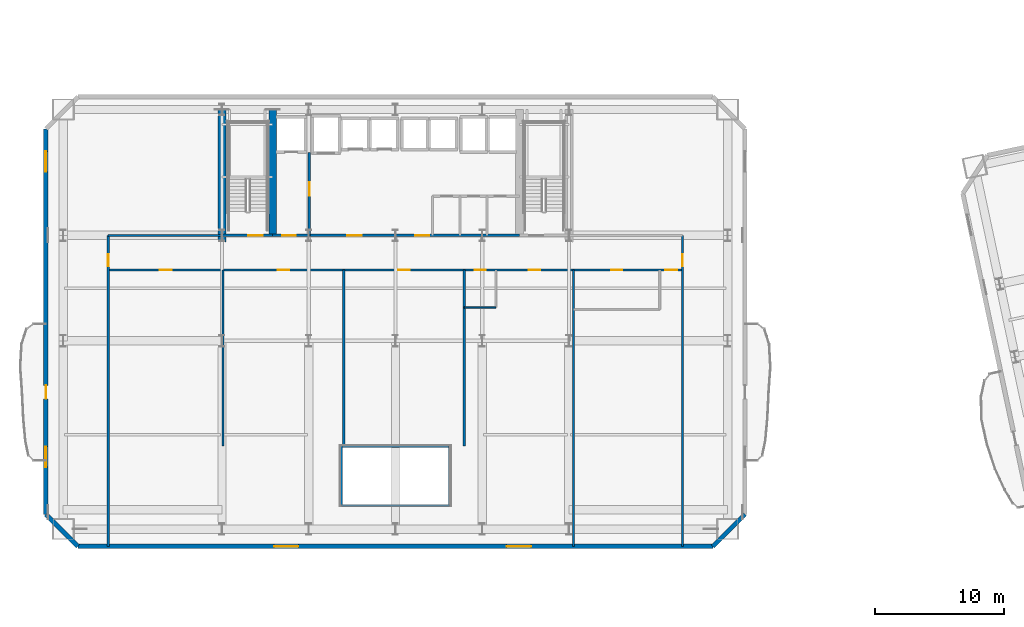
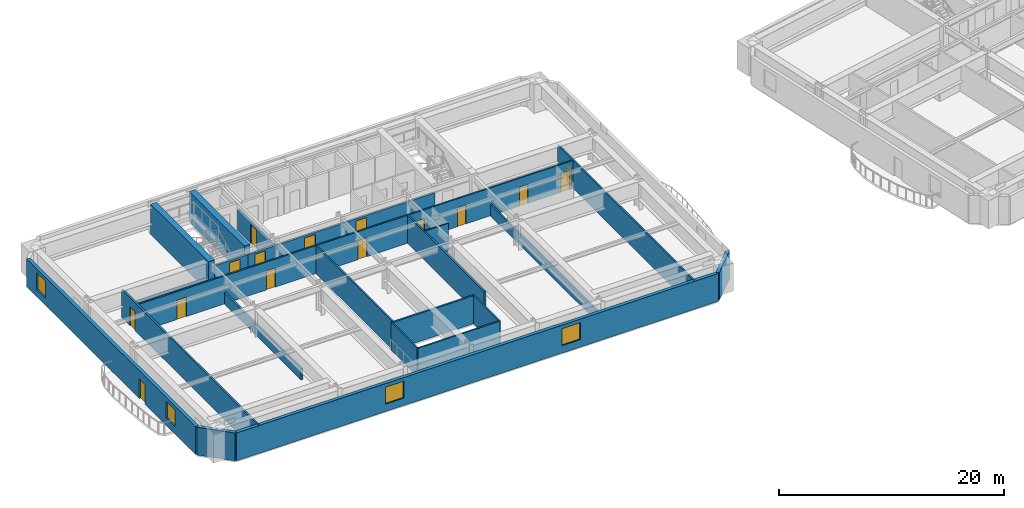
# One storey, part 7 of 18: 23 walls, 15 doors, 4 windows, 19 openings.
"""IFC4 building model written with IfcOpenShell, lengths in metres."""

from ifc_helpers import new_model, si_unit, direction, frame, frame_2d, origin, place, context, subcontext, project, spatial, rectangle, extrude, material, layer, layer_set, type_object, element, fill, save


model = new_model("IFC4")

# Units and contexts
model_context = context("Model", 3, precision=1e-05, world=origin(), true_north=direction((0.0, 1.0)))
body_context = subcontext(model_context, "Body", "Model", "MODEL_VIEW")
ifc_project = project(units=[si_unit("LENGTHUNIT", "METRE"), si_unit("AREAUNIT", "SQUARE_METRE"), si_unit("VOLUMEUNIT", "CUBIC_METRE"), si_unit("PLANEANGLEUNIT", "RADIAN"), si_unit("MASSUNIT", "GRAM", prefix="KILO")], contexts=[model_context])

# Site, building, storey
site_placement = place(None, origin())
site = spatial("IfcSite", under=ifc_project, at=site_placement, CompositionType="ELEMENT")
building_placement = place(site_placement, origin())
building = spatial("IfcBuilding", under=site, at=building_placement, Name="Haevon Station Towers", CompositionType="ELEMENT")
storey_placement = place(building_placement, frame((0.0, 0.0, 47.10009765625)))
storey = spatial("IfcBuildingStorey", under=building, at=storey_placement, Name="L11", CompositionType="ELEMENT", Elevation=47.10009765625)

# Wall, opening, door
ifc_material_1 = material(Name="Gypsum board on steel stud", Category="steel")
ifc_layer_1 = layer(ifc_material_1, 0.179931640625)
ifc_layer_set_1 = layer_set([ifc_layer_1], Name="Gypsum board on steel stud")
wall_type_1 = type_object("IfcWallType", Name="WL-ACU180", PredefinedType="PARTITIONING", material=ifc_layer_set_1)
wall_1_placement = place(storey_placement, frame((15.14990234375, 14.0, 0.0), z_axis=(0.0, 0.0, 1.0), x_axis=(0.0, 1.0, 0.0)))
wall_1 = element("IfcWall", 1, at=wall_1_placement, inside=storey, type_object=wall_type_1, Name="WL-T1PT-L11-03", PredefinedType="PARTITIONING", context=body_context, shape_type="SweptSolid", body=[
    extrude(rectangle(XDim=24.199951171875, YDim=0.179931640625, at=frame_2d((12.10009765625, 0.0))), origin(), (0.0, 0.0, 1.0), 3.02978515625),
])
opening_1_placement = place(wall_1_placement, frame((21.820068359375, 0.0, 0.0)))
opening_1 = element("IfcOpeningElement", 2, at=opening_1_placement, cuts=wall_1, Name="Opening DR-WL-T1PT-L11-03-01", PredefinedType="OPENING", context=body_context, shape_type="SweptSolid", body=[
    extrude(rectangle(XDim=0.89990234375, YDim=2.050048828125, at=frame_2d((0.449951171875, 1.02490234375))), frame((0.0, 0.099853515625, 0.0), z_axis=(0.0, -1.0, 0.0), x_axis=(1.0, 0.0, 0.0)), (0.0, 0.0, 1.0), 0.199951171875),
])
ifc_material_2 = material(Name="Engineered oak timber", Category="wood")
door_type_1 = type_object("IfcDoorType", Name="DR-INT-900", OperationType="NOTDEFINED", PredefinedType="DOOR", material=ifc_material_2)
door_1_placement = place(opening_1_placement, origin())
door_1 = element("IfcDoor", 3, at=door_1_placement, inside=storey, type_object=door_type_1, Name="L11 Tower 1 Room Door 3-1", OperationType="SINGLE_SWING_LEFT", OverallHeight=2.050048828125, OverallWidth=0.89990234375, PredefinedType="DOOR", context=body_context, shape_type="SweptSolid", body=[
    extrude(rectangle(XDim=0.89990234375, YDim=2.050048828125, at=frame_2d((0.449951171875, 1.02490234375))), frame((0.0, 0.02490234375, 0.0), z_axis=(0.0, -1.0, 0.0), x_axis=(1.0, 0.0, 0.0)), (0.0, 0.0, 1.0), 0.050048828125),
])
fill(opening_1, door_1)

# Walls
wall_2_placement = place(storey_placement, frame((33.300048828125, 21.800048828125, 0.0), z_axis=(0.0, 0.0, 1.0), x_axis=(1.0, 0.0, 0.0)))
element("IfcWall", 4, at=wall_2_placement, inside=storey, type_object=wall_type_1, Name="WL-T1PT-L11-06", PredefinedType="PARTITIONING", context=body_context, shape_type="SweptSolid", body=[
    extrude(rectangle(XDim=8.39990234375, YDim=0.179931640625, at=frame_2d((4.199951171875, 0.0))), origin(), (0.0, 0.0, 1.0), 3.02978515625),
])
wall_3_placement = place(storey_placement, frame((24.090087890625, 21.800048828125, 0.0), z_axis=(0.0, 0.0, 1.0), x_axis=(0.0, 1.0, 0.0)))
element("IfcWall", 5, at=wall_3_placement, inside=storey, type_object=wall_type_1, Name="WL-T1PT-L11-09", PredefinedType="PARTITIONING", context=body_context, shape_type="SweptSolid", body=[
    extrude(rectangle(XDim=13.699951171875, YDim=0.179931640625, at=frame_2d((6.85009765625, 0.0))), origin(), (0.0, 0.0, 1.0), 1.22998046875),
])
wall_4_placement = place(storey_placement, frame((42.864013671875, 21.800048828125, 0.0), z_axis=(0.0, 0.0, 1.0), x_axis=(0.0, 1.0, 0.0)))
element("IfcWall", 6, at=wall_4_placement, inside=storey, type_object=wall_type_1, Name="WL-T1PT-L11-12", PredefinedType="PARTITIONING", context=body_context, shape_type="SweptSolid", body=[
    extrude(rectangle(XDim=13.699951171875, YDim=0.179931640625, at=frame_2d((6.85009765625, 0.0))), origin(), (0.0, 0.0, 1.0), 3.02978515625),
])

# Wall, opening, door
ifc_layer_2 = layer(ifc_material_1, 0.199951171875)
ifc_layer_set_2 = layer_set([ifc_layer_2], Name="Gypsum board on steel stud")
wall_type_2 = type_object("IfcWallType", Name="WL-COR200", PredefinedType="PARTITIONING", material=ifc_layer_set_2)
wall_5_placement = place(storey_placement, frame((24.0, 38.199951171875, 0.0), z_axis=(0.0, 0.0, 1.0), x_axis=(1.0, 0.0, 0.0)))
wall_5 = element("IfcWall", 7, at=wall_5_placement, inside=storey, type_object=wall_type_2, Name="WL-ST-ST1-L11", PredefinedType="PARTITIONING", context=body_context, shape_type="SweptSolid", body=[
    extrude(rectangle(XDim=3.949951171875, YDim=0.199951171875, at=frame_2d((1.97509765625, 0.0))), origin(), (0.0, 0.0, 1.0), 2.329833984375),
])
opening_2_placement = place(wall_5_placement, frame((2.050048828125, 0.0, 0.0)))
opening_2 = element("IfcOpeningElement", 8, at=opening_2_placement, cuts=wall_5, Name="Opening DR-ST-ST1-L11", PredefinedType="OPENING", context=body_context, shape_type="SweptSolid", body=[
    extrude(rectangle(XDim=1.1201171875, YDim=2.10009765625, at=frame_2d((0.56005859375, 1.050048828125))), frame((0.0, 0.10986328125, 0.0), z_axis=(0.0, -1.0, 0.0), x_axis=(1.0, 0.0, 0.0)), (0.0, 0.0, 1.0), 0.219970703125),
])
door_type_2 = type_object("IfcDoorType", Name="DR-ST-1120", OperationType="NOTDEFINED", PredefinedType="DOOR", material=ifc_material_2)
door_2_placement = place(opening_2_placement, origin())
door_2 = element("IfcDoor", 9, at=door_2_placement, inside=storey, type_object=door_type_2, Name="L11 Escape Stair ST1 Fire Door", OperationType="SINGLE_SWING_LEFT", OverallHeight=2.10009765625, OverallWidth=1.1201171875, PredefinedType="DOOR", context=body_context, shape_type="SweptSolid", body=[
    extrude(rectangle(XDim=1.1201171875, YDim=2.10009765625, at=frame_2d((0.56005859375, 1.050048828125))), frame((0.0, 0.02490234375, 0.0), z_axis=(0.0, -1.0, 0.0), x_axis=(1.0, 0.0, 0.0)), (0.0, 0.0, 1.0), 0.050048828125),
])
fill(opening_2, door_2)

wall_6_placement = place(storey_placement, frame((30.800048828125, 38.199951171875, 0.0), z_axis=(0.0, 0.0, 1.0), x_axis=(0.0, 1.0, 0.0)))
wall_6 = element("IfcWall", 10, at=wall_6_placement, inside=storey, type_object=wall_type_2, Name="WL-T1FFL-L11-E", PredefinedType="PARTITIONING", context=body_context, shape_type="SweptSolid", body=[
    extrude(rectangle(XDim=6.449951171875, YDim=0.199951171875, at=frame_2d((3.22509765625, 0.0))), origin(), (0.0, 0.0, 1.0), 2.329833984375),
])
opening_3_placement = place(wall_6_placement, frame((3.10009765625, 0.0, 0.0)))
opening_3 = element("IfcOpeningElement", 11, at=opening_3_placement, cuts=wall_6, Name="Opening DR-T1FFL-L11-E", PredefinedType="OPENING", context=body_context, shape_type="SweptSolid", body=[
    extrude(rectangle(XDim=1.050048828125, YDim=2.10009765625, at=frame_2d((0.52490234375, 1.050048828125))), frame((0.0, 0.10986328125, 0.0), z_axis=(0.0, -1.0, 0.0), x_axis=(1.0, 0.0, 0.0)), (0.0, 0.0, 1.0), 0.219970703125),
])
door_type_3 = type_object("IfcDoorType", Name="DR-FD60-1050", OperationType="NOTDEFINED", PredefinedType="DOOR", material=ifc_material_2)
door_3_placement = place(opening_3_placement, origin())
door_3 = element("IfcDoor", 12, at=door_3_placement, inside=storey, type_object=door_type_3, Name="L11 Tower 1 Firefighting Lift Lobby Door E", OperationType="SINGLE_SWING_LEFT", OverallHeight=2.10009765625, OverallWidth=1.050048828125, PredefinedType="DOOR", context=body_context, shape_type="SweptSolid", body=[
    extrude(rectangle(XDim=1.050048828125, YDim=2.10009765625, at=frame_2d((0.52490234375, 1.050048828125))), frame((0.0, 0.02490234375, 0.0), z_axis=(0.0, -1.0, 0.0), x_axis=(1.0, 0.0, 0.0)), (0.0, 0.0, 1.0), 0.050048828125),
])
fill(opening_3, door_3)

wall_7_placement = place(storey_placement, frame((27.949951171875, 38.199951171875, 0.0), z_axis=(0.0, 0.0, 1.0), x_axis=(1.0, 0.0, 0.0)))
wall_7 = element("IfcWall", 13, at=wall_7_placement, inside=storey, type_object=wall_type_2, Name="WL-T1FFL-L11-S", PredefinedType="PARTITIONING", context=body_context, shape_type="SweptSolid", body=[
    extrude(rectangle(XDim=2.85009765625, YDim=0.199951171875, at=frame_2d((1.425048828125, 0.0))), origin(), (0.0, 0.0, 1.0), 2.329833984375),
])
opening_4_placement = place(wall_7_placement, frame((0.75, 0.0, 0.0)))
opening_4 = element("IfcOpeningElement", 14, at=opening_4_placement, cuts=wall_7, Name="Opening DR-T1FFL-L11-S", PredefinedType="OPENING", context=body_context, shape_type="SweptSolid", body=[
    extrude(rectangle(XDim=1.050048828125, YDim=2.10009765625, at=frame_2d((0.52490234375, 1.050048828125))), frame((0.0, 0.10986328125, 0.0), z_axis=(0.0, -1.0, 0.0), x_axis=(1.0, 0.0, 0.0)), (0.0, 0.0, 1.0), 0.219970703125),
])
door_4_placement = place(opening_4_placement, origin())
door_4 = element("IfcDoor", 15, at=door_4_placement, inside=storey, type_object=door_type_3, Name="L11 Tower 1 Firefighting Lift Lobby Door S", OperationType="SINGLE_SWING_RIGHT", OverallHeight=2.10009765625, OverallWidth=1.050048828125, PredefinedType="DOOR", context=body_context, shape_type="SweptSolid", body=[
    extrude(rectangle(XDim=1.050048828125, YDim=2.10009765625, at=frame_2d((0.52490234375, 1.050048828125))), frame((0.0, 0.02490234375, 0.0), z_axis=(0.0, -1.0, 0.0), x_axis=(1.0, 0.0, 0.0)), (0.0, 0.0, 1.0), 0.050048828125),
])
fill(opening_4, door_4)

# Wall, openings, doors
wall_8_placement = place(storey_placement, frame((30.800048828125, 38.199951171875, 0.0), z_axis=(0.0, 0.0, 1.0), x_axis=(1.0, 0.0, 0.0)))
wall_8 = element("IfcWall", 16, at=wall_8_placement, inside=storey, type_object=wall_type_2, Name="WL-T1CLB-L11", PredefinedType="PARTITIONING", context=body_context, shape_type="SweptSolid", body=[
    extrude(rectangle(XDim=16.349853515625, YDim=0.199951171875, at=frame_2d((8.1748046875, 0.0))), origin(), (0.0, 0.0, 1.0), 2.329833984375),
])
opening_5_placement = place(wall_8_placement, frame((2.949951171875, 0.0, 0.0)))
opening_5 = element("IfcOpeningElement", 17, at=opening_5_placement, cuts=wall_8, Name="Opening DR-T1CLB-L11-1", PredefinedType="OPENING", context=body_context, shape_type="SweptSolid", body=[
    extrude(rectangle(XDim=1.1201171875, YDim=2.10009765625, at=frame_2d((0.56005859375, 1.050048828125))), frame((0.0, 0.10986328125, 0.0), z_axis=(0.0, -1.0, 0.0), x_axis=(1.0, 0.0, 0.0)), (0.0, 0.0, 1.0), 0.219970703125),
])
opening_6_placement = place(wall_8_placement, frame((8.22998046875, 0.0, 0.0)))
opening_6 = element("IfcOpeningElement", 18, at=opening_6_placement, cuts=wall_8, Name="Opening DR-T1CLB-L11-2", PredefinedType="OPENING", context=body_context, shape_type="SweptSolid", body=[
    extrude(rectangle(XDim=1.1201171875, YDim=2.10009765625, at=frame_2d((0.56005859375, 1.050048828125))), frame((0.0, 0.10986328125, 0.0), z_axis=(0.0, -1.0, 0.0), x_axis=(1.0, 0.0, 0.0)), (0.0, 0.0, 1.0), 0.219970703125),
])
door_5_placement = place(opening_5_placement, origin())
door_5 = element("IfcDoor", 19, at=door_5_placement, inside=storey, type_object=door_type_2, Name="L11 Tower 1 Core Lift Lobby Door 1", OperationType="SINGLE_SWING_LEFT", OverallHeight=2.10009765625, OverallWidth=1.1201171875, PredefinedType="DOOR", context=body_context, shape_type="SweptSolid", body=[
    extrude(rectangle(XDim=1.1201171875, YDim=2.10009765625, at=frame_2d((0.56005859375, 1.050048828125))), frame((0.0, 0.02490234375, 0.0), z_axis=(0.0, -1.0, 0.0), x_axis=(1.0, 0.0, 0.0)), (0.0, 0.0, 1.0), 0.050048828125),
])
fill(opening_5, door_5)
door_6_placement = place(opening_6_placement, origin())
door_6 = element("IfcDoor", 20, at=door_6_placement, inside=storey, type_object=door_type_2, Name="L11 Tower 1 Core Lift Lobby Door 2", OperationType="SINGLE_SWING_RIGHT", OverallHeight=2.10009765625, OverallWidth=1.1201171875, PredefinedType="DOOR", context=body_context, shape_type="SweptSolid", body=[
    extrude(rectangle(XDim=1.1201171875, YDim=2.10009765625, at=frame_2d((0.56005859375, 1.050048828125))), frame((0.0, 0.02490234375, 0.0), z_axis=(0.0, -1.0, 0.0), x_axis=(1.0, 0.0, 0.0)), (0.0, 0.0, 1.0), 0.050048828125),
])
fill(opening_6, door_6)

# Walls
ifc_material_3 = material(Name="Concrete C60/75", Category="concrete")
ifc_layer_3 = layer(ifc_material_3, 0.60009765625)
ifc_layer_set_3 = layer_set([ifc_layer_3], Name="Concrete C60/75")
wall_type_3 = type_object("IfcWallType", Name="WL-CR600", PredefinedType="SHEAR", material=ifc_layer_set_3)
wall_9_placement = place(storey_placement, frame((24.0, 37.679931640625, 0.0), z_axis=(0.0, 0.0, 1.0), x_axis=(0.0, 1.0, 0.0)))
element("IfcWall", 21, at=wall_9_placement, inside=storey, type_object=wall_type_3, Name="WL-T1CR-L11-W", PredefinedType="SHEAR", context=body_context, shape_type="SweptSolid", body=[
    extrude(rectangle(XDim=10.320068359375, YDim=0.60009765625, at=frame_2d((5.16015625, 0.0))), origin(), (0.0, 0.0, 1.0), 3.2998046875),
])
wall_10_placement = place(storey_placement, frame((27.949951171875, 38.199951171875, 0.0), z_axis=(0.0, 0.0, 1.0), x_axis=(0.0, 1.0, 0.0)))
element("IfcWall", 22, at=wall_10_placement, inside=storey, type_object=wall_type_3, Name="WL-T1CR-L11-M1", PredefinedType="SHEAR", context=body_context, shape_type="SweptSolid", body=[
    extrude(rectangle(XDim=9.800048828125, YDim=0.60009765625, at=frame_2d((4.89990234375, 0.0))), origin(), (0.0, 0.0, 1.0), 3.2998046875),
])

# Wall, openings, windows
ifc_material_4 = material(Name="Precast concrete C45/55", Category="concrete")
ifc_layer_4 = layer(ifc_material_4, 0.340087890625)
ifc_layer_set_4 = layer_set([ifc_layer_4], Name="Precast concrete C45/55")
wall_type_4 = type_object("IfcWallType", Name="WL-EXT-PIER340", PredefinedType="SOLIDWALL", material=ifc_layer_set_4)
wall_11_placement = place(storey_placement, frame((62.199951171875, 14.0, 0.0), z_axis=(0.0, 0.0, 1.0), x_axis=(-1.0, 0.0, 0.0)))
wall_11 = element("IfcWall", 23, at=wall_11_placement, inside=storey, type_object=wall_type_4, Name="WL-T1-L11-S", PredefinedType="SOLIDWALL", context=body_context, shape_type="SweptSolid", body=[
    extrude(rectangle(XDim=49.39990234375, YDim=0.340087890625, at=frame_2d((24.699951171875, 0.0))), origin(), (0.0, 0.0, 1.0), 3.02978515625),
])
opening_7_placement = place(wall_11_placement, frame((32.242919921875, 0.0, 0.800048828125)))
opening_7 = element("IfcOpeningElement", 24, at=opening_7_placement, cuts=wall_11, Name="Opening WN-P190", PredefinedType="OPENING", context=body_context, shape_type="SweptSolid", body=[
    extrude(rectangle(XDim=1.89990234375, YDim=1.85009765625, at=frame_2d((0.949951171875, 0.925048828125))), frame((0.0, 0.179931640625, 0.0), z_axis=(0.0, -1.0, 0.0), x_axis=(1.0, 0.0, 0.0)), (0.0, 0.0, 1.0), 0.360107421875),
])
opening_8_placement = place(wall_11_placement, frame((14.139404296875, 0.0, 0.800048828125)))
opening_8 = element("IfcOpeningElement", 25, at=opening_8_placement, cuts=wall_11, Name="Opening WN-P190", PredefinedType="OPENING", context=body_context, shape_type="SweptSolid", body=[
    extrude(rectangle(XDim=1.89990234375, YDim=1.85009765625, at=frame_2d((0.949951171875, 0.925048828125))), frame((0.0, 0.179931640625, 0.0), z_axis=(0.0, -1.0, 0.0), x_axis=(1.0, 0.0, 0.0)), (0.0, 0.0, 1.0), 0.360107421875),
])
ifc_material_5 = material(Name="Low-E triple glazing in thermally broken aluminium", Category="aluminium")
window_type_1 = type_object("IfcWindowType", Name="WN-P190", PartitioningType="SINGLE_PANEL", PredefinedType="WINDOW", material=ifc_material_5)
window_1_placement = place(opening_7_placement, origin())
window_1 = element("IfcWindow", 26, at=window_1_placement, inside=storey, type_object=window_type_1, Name="WN-T1-L11-S01", OverallHeight=1.85009765625, OverallWidth=1.89990234375, PartitioningType="SINGLE_PANEL", PredefinedType="WINDOW", context=body_context, shape_type="SweptSolid", body=[
    extrude(rectangle(XDim=1.89990234375, YDim=1.85009765625, at=frame_2d((0.949951171875, 0.925048828125))), frame((0.0, 0.030029296875, 0.0), z_axis=(0.0, -1.0, 0.0), x_axis=(1.0, 0.0, 0.0)), (0.0, 0.0, 1.0), 0.06005859375),
])
fill(opening_7, window_1)
window_2_placement = place(opening_8_placement, origin())
window_2 = element("IfcWindow", 27, at=window_2_placement, inside=storey, type_object=window_type_1, Name="WN-T1-L11-S02", OverallHeight=1.85009765625, OverallWidth=1.89990234375, PartitioningType="SINGLE_PANEL", PredefinedType="WINDOW", context=body_context, shape_type="SweptSolid", body=[
    extrude(rectangle(XDim=1.89990234375, YDim=1.85009765625, at=frame_2d((0.949951171875, 0.925048828125))), frame((0.0, 0.030029296875, 0.0), z_axis=(0.0, -1.0, 0.0), x_axis=(1.0, 0.0, 0.0)), (0.0, 0.0, 1.0), 0.06005859375),
])
fill(opening_8, window_2)

# Wall
wall_12_placement = place(storey_placement, frame((12.800048828125, 14.0, 0.0), z_axis=(0.0, 0.0, 1.0), x_axis=(-0.707106781187, 0.707106781187, 0.0)))
element("IfcWall", 28, at=wall_12_placement, inside=storey, type_object=wall_type_4, Name="WL-T1-L11-SWC", PredefinedType="SOLIDWALL", context=body_context, shape_type="SweptSolid", body=[
    extrude(rectangle(XDim=3.53564453125, YDim=0.340087890625, at=frame_2d((1.767822265625, 0.0))), origin(), (0.0, 0.0, 1.0), 3.02978515625),
])

# Wall, openings, door, windows
wall_13_placement = place(storey_placement, frame((10.300048828125, 16.5, 0.0), z_axis=(0.0, 0.0, 1.0), x_axis=(0.0, 1.0, 0.0)))
wall_13 = element("IfcWall", 29, at=wall_13_placement, inside=storey, type_object=wall_type_4, Name="WL-T1-L11-W", PredefinedType="SOLIDWALL", context=body_context, shape_type="SweptSolid", body=[
    extrude(rectangle(XDim=30.0, YDim=0.340087890625, at=frame_2d((15.0, 0.0))), origin(), (0.0, 0.0, 1.0), 3.02978515625),
])
opening_9_placement = place(wall_13_placement, frame((8.97509765625, 0.0, 0.0)))
opening_9 = element("IfcOpeningElement", 30, at=opening_9_placement, cuts=wall_13, Name="Opening DR-T1-SCAL-L11-W", PredefinedType="OPENING", context=body_context, shape_type="SweptSolid", body=[
    extrude(rectangle(XDim=1.050048828125, YDim=2.10009765625, at=frame_2d((0.52490234375, 1.050048828125))), frame((0.0, 0.179931640625, 0.0), z_axis=(0.0, -1.0, 0.0), x_axis=(1.0, 0.0, 0.0)), (0.0, 0.0, 1.0), 0.360107421875),
])
opening_10_placement = place(wall_13_placement, frame((3.67138671875, 0.0, 0.800048828125)))
opening_10 = element("IfcOpeningElement", 31, at=opening_10_placement, cuts=wall_13, Name="Opening WN-END160", PredefinedType="OPENING", context=body_context, shape_type="SweptSolid", body=[
    extrude(rectangle(XDim=1.60009765625, YDim=1.800048828125, at=frame_2d((0.800048828125, 0.89990234375))), frame((0.0, 0.179931640625, 0.0), z_axis=(0.0, -1.0, 0.0), x_axis=(1.0, 0.0, 0.0)), (0.0, 0.0, 1.0), 0.360107421875),
])
opening_11_placement = place(wall_13_placement, frame((26.642822265625, 0.0, 0.800048828125)))
opening_11 = element("IfcOpeningElement", 32, at=opening_11_placement, cuts=wall_13, Name="Opening WN-END160", PredefinedType="OPENING", context=body_context, shape_type="SweptSolid", body=[
    extrude(rectangle(XDim=1.60009765625, YDim=1.800048828125, at=frame_2d((0.800048828125, 0.89990234375))), frame((0.0, 0.179931640625, 0.0), z_axis=(0.0, -1.0, 0.0), x_axis=(1.0, 0.0, 0.0)), (0.0, 0.0, 1.0), 0.360107421875),
])
ifc_material_6 = material(Name="Thermally broken anodised aluminium and laminated safety glass", Category="aluminium")
door_type_4 = type_object("IfcDoorType", Name="DR-BALC-1050", OperationType="NOTDEFINED", PredefinedType="DOOR", material=ifc_material_6)
door_7_placement = place(opening_9_placement, origin())
door_7 = element("IfcDoor", 33, at=door_7_placement, inside=storey, type_object=door_type_4, Name="Tower 1 L11 West Scalloped Balcony Door", OperationType="SINGLE_SWING_LEFT", OverallHeight=2.10009765625, OverallWidth=1.050048828125, PredefinedType="DOOR", context=body_context, shape_type="SweptSolid", body=[
    extrude(rectangle(XDim=1.050048828125, YDim=2.10009765625, at=frame_2d((0.52490234375, 1.050048828125))), frame((0.0, 0.02490234375, 0.0), z_axis=(0.0, -1.0, 0.0), x_axis=(1.0, 0.0, 0.0)), (0.0, 0.0, 1.0), 0.050048828125),
])
fill(opening_9, door_7)
window_type_2 = type_object("IfcWindowType", Name="WN-END160", PartitioningType="SINGLE_PANEL", PredefinedType="WINDOW", material=ifc_material_5)
window_3_placement = place(opening_10_placement, origin())
window_3 = element("IfcWindow", 34, at=window_3_placement, inside=storey, type_object=window_type_2, Name="WN-T1-L11-W01", OverallHeight=1.800048828125, OverallWidth=1.60009765625, PartitioningType="SINGLE_PANEL", PredefinedType="WINDOW", context=body_context, shape_type="SweptSolid", body=[
    extrude(rectangle(XDim=1.60009765625, YDim=1.800048828125, at=frame_2d((0.800048828125, 0.89990234375))), frame((0.0, 0.030029296875, 0.0), z_axis=(0.0, -1.0, 0.0), x_axis=(1.0, 0.0, 0.0)), (0.0, 0.0, 1.0), 0.06005859375),
])
fill(opening_10, window_3)
window_4_placement = place(opening_11_placement, origin())
window_4 = element("IfcWindow", 35, at=window_4_placement, inside=storey, type_object=window_type_2, Name="WN-T1-L11-W02", OverallHeight=1.800048828125, OverallWidth=1.60009765625, PartitioningType="SINGLE_PANEL", PredefinedType="WINDOW", context=body_context, shape_type="SweptSolid", body=[
    extrude(rectangle(XDim=1.60009765625, YDim=1.800048828125, at=frame_2d((0.800048828125, 0.89990234375))), frame((0.0, 0.030029296875, 0.0), z_axis=(0.0, -1.0, 0.0), x_axis=(1.0, 0.0, 0.0)), (0.0, 0.0, 1.0), 0.06005859375),
])
fill(opening_11, window_4)

# Walls
wall_14_placement = place(storey_placement, frame((64.699951171875, 16.5, 0.0), z_axis=(0.0, 0.0, 1.0), x_axis=(-0.707106781187, -0.707106781187, 0.0)))
element("IfcWall", 36, at=wall_14_placement, inside=storey, type_object=wall_type_4, Name="WL-T1-L11-SEC", PredefinedType="SOLIDWALL", context=body_context, shape_type="SweptSolid", body=[
    extrude(rectangle(XDim=3.53564453125, YDim=0.340087890625, at=frame_2d((1.767822265625, 0.0))), origin(), (0.0, 0.0, 1.0), 3.02978515625),
])
ifc_layer_5 = layer(ifc_material_1, 0.125)
ifc_layer_set_5 = layer_set([ifc_layer_5], Name="Gypsum board on steel stud")
wall_type_5 = type_object("IfcWallType", Name="WL-PRT125", PredefinedType="PARTITIONING", material=ifc_layer_set_5)
wall_15_placement = place(storey_placement, frame((42.864013671875, 32.60009765625, 0.0), z_axis=(0.0, 0.0, 1.0), x_axis=(1.0, 0.0, 0.0)))
element("IfcWall", 37, at=wall_15_placement, inside=storey, type_object=wall_type_5, Name="WL-T1PT-L11-14", PredefinedType="PARTITIONING", context=body_context, shape_type="SweptSolid", body=[
    extrude(rectangle(XDim=2.449951171875, YDim=0.125, at=frame_2d((1.22509765625, 0.0))), origin(), (0.0, 0.0, 1.0), 3.02978515625),
])
ifc_layer_6 = layer(ifc_material_1, 0.159912109375)
ifc_layer_set_6 = layer_set([ifc_layer_6], Name="Gypsum board on steel stud")
wall_type_6 = type_object("IfcWallType", Name="WL-PRT160", PredefinedType="PARTITIONING", material=ifc_layer_set_6)
wall_16_placement = place(storey_placement, frame((15.14990234375, 38.199951171875, 0.0), z_axis=(0.0, 0.0, 1.0), x_axis=(1.0, 0.0, 0.0)))
element("IfcWall", 38, at=wall_16_placement, inside=storey, type_object=wall_type_6, Name="WL-T1PT-L11-01", PredefinedType="PARTITIONING", context=body_context, shape_type="SweptSolid", body=[
    extrude(rectangle(XDim=8.85009765625, YDim=0.159912109375, at=frame_2d((4.425048828125, 0.0))), origin(), (0.0, 0.0, 1.0), 1.22998046875),
])

# Wall, opening, door
wall_17_placement = place(storey_placement, frame((59.85009765625, 14.0, 0.0), z_axis=(0.0, 0.0, 1.0), x_axis=(0.0, 1.0, 0.0)))
wall_17 = element("IfcWall", 39, at=wall_17_placement, inside=storey, type_object=wall_type_6, Name="WL-T1PT-L11-04", PredefinedType="PARTITIONING", context=body_context, shape_type="SweptSolid", body=[
    extrude(rectangle(XDim=24.199951171875, YDim=0.159912109375, at=frame_2d((12.10009765625, 0.0))), origin(), (0.0, 0.0, 1.0), 3.02978515625),
])
opening_12_placement = place(wall_17_placement, frame((21.820068359375, 0.0, 0.0)))
opening_12 = element("IfcOpeningElement", 40, at=opening_12_placement, cuts=wall_17, Name="Opening DR-WL-T1PT-L11-04-01", PredefinedType="OPENING", context=body_context, shape_type="SweptSolid", body=[
    extrude(rectangle(XDim=0.89990234375, YDim=2.050048828125, at=frame_2d((0.449951171875, 1.02490234375))), frame((0.0, 0.08984375, 0.0), z_axis=(0.0, -1.0, 0.0), x_axis=(1.0, 0.0, 0.0)), (0.0, 0.0, 1.0), 0.179931640625),
])
door_8_placement = place(opening_12_placement, origin())
door_8 = element("IfcDoor", 41, at=door_8_placement, inside=storey, type_object=door_type_1, Name="L11 Tower 1 Room Door 4-1", OperationType="SINGLE_SWING_RIGHT", OverallHeight=2.050048828125, OverallWidth=0.89990234375, PredefinedType="DOOR", context=body_context, shape_type="SweptSolid", body=[
    extrude(rectangle(XDim=0.89990234375, YDim=2.050048828125, at=frame_2d((0.449951171875, 1.02490234375))), frame((0.0, 0.02490234375, 0.0), z_axis=(0.0, -1.0, 0.0), x_axis=(1.0, 0.0, 0.0)), (0.0, 0.0, 1.0), 0.050048828125),
])
fill(opening_12, door_8)

# Walls
wall_18_placement = place(storey_placement, frame((33.300048828125, 17.199951171875, 0.0), z_axis=(0.0, 0.0, 1.0), x_axis=(1.0, 0.0, 0.0)))
element("IfcWall", 42, at=wall_18_placement, inside=storey, type_object=wall_type_6, Name="WL-T1PT-L11-05", PredefinedType="PARTITIONING", context=body_context, shape_type="SweptSolid", body=[
    extrude(rectangle(XDim=8.39990234375, YDim=0.159912109375, at=frame_2d((4.199951171875, 0.0))), origin(), (0.0, 0.0, 1.0), 3.02978515625),
])
for number, where, z_axis, x_axis, name in (
    (43, (33.300048828125, 17.199951171875, 0.0), (0.0, 0.0, 1.0), (0.0, 1.0, 0.0), "WL-T1PT-L11-07"),
    (44, (41.699951171875, 17.199951171875, 0.0), (0.0, 0.0, 1.0), (0.0, 1.0, 0.0), "WL-T1PT-L11-08"),
):
    element("IfcWall", number, at=place(storey_placement, frame(where, z_axis=z_axis, x_axis=x_axis)), inside=storey, type_object=wall_type_6, Name=name, PredefinedType="PARTITIONING", context=body_context, shape_type="SweptSolid", body=[
        extrude(rectangle(XDim=4.60009765625, YDim=0.159912109375, at=frame_2d((2.300048828125, 0.0))), origin(), (0.0, 0.0, 1.0), 3.02978515625),
    ])
wall_19_placement = place(storey_placement, frame((33.47705078125, 21.800048828125, 0.0), z_axis=(0.0, 0.0, 1.0), x_axis=(0.0, 1.0, 0.0)))
element("IfcWall", 45, at=wall_19_placement, inside=storey, type_object=wall_type_6, Name="WL-T1PT-L11-10", PredefinedType="PARTITIONING", context=body_context, shape_type="SweptSolid", body=[
    extrude(rectangle(XDim=13.699951171875, YDim=0.159912109375, at=frame_2d((6.85009765625, 0.0))), origin(), (0.0, 0.0, 1.0), 3.02978515625),
])
wall_20_placement = place(storey_placement, frame((51.35693359375, 14.0, 0.0), z_axis=(0.0, 0.0, 1.0), x_axis=(0.0, 1.0, 0.0)))
element("IfcWall", 46, at=wall_20_placement, inside=storey, type_object=wall_type_6, Name="WL-T1PT-L11-16", PredefinedType="PARTITIONING", context=body_context, shape_type="SweptSolid", body=[
    extrude(rectangle(XDim=21.5, YDim=0.159912109375, at=frame_2d((10.75, 0.0))), origin(), (0.0, 0.0, 1.0), 1.22998046875),
])

# Wall, openings, doors
wall_21_placement = place(storey_placement, frame((15.14990234375, 35.5, 0.0), z_axis=(0.0, 0.0, 1.0), x_axis=(1.0, 0.0, 0.0)))
wall_21 = element("IfcWall", 47, at=wall_21_placement, inside=storey, type_object=wall_type_6, Name="WL-T1PT-L11-19", PredefinedType="PARTITIONING", context=body_context, shape_type="SweptSolid", body=[
    extrude(rectangle(XDim=44.7001953125, YDim=0.159912109375, at=frame_2d((22.35009765625, 0.0))), origin(), (0.0, 0.0, 1.0), 3.02978515625),
])
opening_13_placement = place(wall_21_placement, frame((3.9951171875, 0.0, 0.0)))
opening_13 = element("IfcOpeningElement", 48, at=opening_13_placement, cuts=wall_21, Name="Opening DR-WL-T1PT-L11-19-01", PredefinedType="OPENING", context=body_context, shape_type="SweptSolid", body=[
    extrude(rectangle(XDim=0.949951171875, YDim=2.10009765625, at=frame_2d((0.47509765625, 1.050048828125))), frame((0.0, 0.08984375, 0.0), z_axis=(0.0, -1.0, 0.0), x_axis=(1.0, 0.0, 0.0)), (0.0, 0.0, 1.0), 0.179931640625),
])
opening_14_placement = place(wall_21_placement, frame((13.18310546875, 0.0, 0.0)))
opening_14 = element("IfcOpeningElement", 49, at=opening_14_placement, cuts=wall_21, Name="Opening DR-WL-T1PT-L11-19-02", PredefinedType="OPENING", context=body_context, shape_type="SweptSolid", body=[
    extrude(rectangle(XDim=0.89990234375, YDim=2.050048828125, at=frame_2d((0.449951171875, 1.02490234375))), frame((0.0, 0.08984375, 0.0), z_axis=(0.0, -1.0, 0.0), x_axis=(1.0, 0.0, 0.0)), (0.0, 0.0, 1.0), 0.179931640625),
])
opening_15_placement = place(wall_21_placement, frame((22.570068359375, 0.0, 0.0)))
opening_15 = element("IfcOpeningElement", 50, at=opening_15_placement, cuts=wall_21, Name="Opening DR-WL-T1PT-L11-19-03", PredefinedType="OPENING", context=body_context, shape_type="SweptSolid", body=[
    extrude(rectangle(XDim=0.89990234375, YDim=2.050048828125, at=frame_2d((0.449951171875, 1.02490234375))), frame((0.0, 0.08984375, 0.0), z_axis=(0.0, -1.0, 0.0), x_axis=(1.0, 0.0, 0.0)), (0.0, 0.0, 1.0), 0.179931640625),
])
opening_16_placement = place(wall_21_placement, frame((28.513916015625, 0.0, 0.0)))
opening_16 = element("IfcOpeningElement", 51, at=opening_16_placement, cuts=wall_21, Name="Opening DR-WL-T1PT-L11-19-04", PredefinedType="OPENING", context=body_context, shape_type="SweptSolid", body=[
    extrude(rectangle(XDim=0.85009765625, YDim=2.050048828125, at=frame_2d((0.425048828125, 1.02490234375))), frame((0.0, 0.08984375, 0.0), z_axis=(0.0, -1.0, 0.0), x_axis=(1.0, 0.0, 0.0)), (0.0, 0.0, 1.0), 0.179931640625),
])
opening_17_placement = place(wall_21_placement, frame((32.735107421875, 0.0, 0.0)))
opening_17 = element("IfcOpeningElement", 52, at=opening_17_placement, cuts=wall_21, Name="Opening DR-WL-T1PT-L11-19-05", PredefinedType="OPENING", context=body_context, shape_type="SweptSolid", body=[
    extrude(rectangle(XDim=0.89990234375, YDim=2.050048828125, at=frame_2d((0.449951171875, 1.02490234375))), frame((0.0, 0.08984375, 0.0), z_axis=(0.0, -1.0, 0.0), x_axis=(1.0, 0.0, 0.0)), (0.0, 0.0, 1.0), 0.179931640625),
])
opening_18_placement = place(wall_21_placement, frame((39.138916015625, 0.0, 0.0)))
opening_18 = element("IfcOpeningElement", 53, at=opening_18_placement, cuts=wall_21, Name="Opening DR-WL-T1PT-L11-19-06", PredefinedType="OPENING", context=body_context, shape_type="SweptSolid", body=[
    extrude(rectangle(XDim=0.85009765625, YDim=2.050048828125, at=frame_2d((0.425048828125, 1.02490234375))), frame((0.0, 0.08984375, 0.0), z_axis=(0.0, -1.0, 0.0), x_axis=(1.0, 0.0, 0.0)), (0.0, 0.0, 1.0), 0.179931640625),
])
opening_19_placement = place(wall_21_placement, frame((43.360107421875, 0.0, 0.0)))
opening_19 = element("IfcOpeningElement", 54, at=opening_19_placement, cuts=wall_21, Name="Opening DR-WL-T1PT-L11-19-07", PredefinedType="OPENING", context=body_context, shape_type="SweptSolid", body=[
    extrude(rectangle(XDim=0.89990234375, YDim=2.050048828125, at=frame_2d((0.449951171875, 1.02490234375))), frame((0.0, 0.08984375, 0.0), z_axis=(0.0, -1.0, 0.0), x_axis=(1.0, 0.0, 0.0)), (0.0, 0.0, 1.0), 0.179931640625),
])
door_type_5 = type_object("IfcDoorType", Name="DR-FD30-850", OperationType="NOTDEFINED", PredefinedType="DOOR", material=ifc_material_2)
door_9_placement = place(opening_16_placement, origin())
door_9 = element("IfcDoor", 55, at=door_9_placement, inside=storey, type_object=door_type_5, Name="L11 Tower 1 Room Door 19-4", OperationType="SINGLE_SWING_RIGHT", OverallHeight=2.050048828125, OverallWidth=0.85009765625, PredefinedType="DOOR", context=body_context, shape_type="SweptSolid", body=[
    extrude(rectangle(XDim=0.85009765625, YDim=2.050048828125, at=frame_2d((0.425048828125, 1.02490234375))), frame((0.0, 0.02490234375, 0.0), z_axis=(0.0, -1.0, 0.0), x_axis=(1.0, 0.0, 0.0)), (0.0, 0.0, 1.0), 0.050048828125),
])
fill(opening_16, door_9)
door_10_placement = place(opening_18_placement, origin())
door_10 = element("IfcDoor", 56, at=door_10_placement, inside=storey, type_object=door_type_5, Name="L11 Tower 1 Room Door 19-6", OperationType="SINGLE_SWING_RIGHT", OverallHeight=2.050048828125, OverallWidth=0.85009765625, PredefinedType="DOOR", context=body_context, shape_type="SweptSolid", body=[
    extrude(rectangle(XDim=0.85009765625, YDim=2.050048828125, at=frame_2d((0.425048828125, 1.02490234375))), frame((0.0, 0.02490234375, 0.0), z_axis=(0.0, -1.0, 0.0), x_axis=(1.0, 0.0, 0.0)), (0.0, 0.0, 1.0), 0.050048828125),
])
fill(opening_18, door_10)
door_type_6 = type_object("IfcDoorType", Name="DR-FD30-950", OperationType="NOTDEFINED", PredefinedType="DOOR", material=ifc_material_2)
door_11_placement = place(opening_13_placement, origin())
door_11 = element("IfcDoor", 57, at=door_11_placement, inside=storey, type_object=door_type_6, Name="L11 Tower 1 Room Door 19-1", OperationType="SINGLE_SWING_LEFT", OverallHeight=2.10009765625, OverallWidth=0.949951171875, PredefinedType="DOOR", context=body_context, shape_type="SweptSolid", body=[
    extrude(rectangle(XDim=0.949951171875, YDim=2.10009765625, at=frame_2d((0.47509765625, 1.050048828125))), frame((0.0, 0.02490234375, 0.0), z_axis=(0.0, -1.0, 0.0), x_axis=(1.0, 0.0, 0.0)), (0.0, 0.0, 1.0), 0.050048828125),
])
fill(opening_13, door_11)
door_12_placement = place(opening_14_placement, origin())
door_12 = element("IfcDoor", 58, at=door_12_placement, inside=storey, type_object=door_type_1, Name="L11 Tower 1 Room Door 19-2", OperationType="SINGLE_SWING_RIGHT", OverallHeight=2.050048828125, OverallWidth=0.89990234375, PredefinedType="DOOR", context=body_context, shape_type="SweptSolid", body=[
    extrude(rectangle(XDim=0.89990234375, YDim=2.050048828125, at=frame_2d((0.449951171875, 1.02490234375))), frame((0.0, 0.02490234375, 0.0), z_axis=(0.0, -1.0, 0.0), x_axis=(1.0, 0.0, 0.0)), (0.0, 0.0, 1.0), 0.050048828125),
])
fill(opening_14, door_12)
door_13_placement = place(opening_15_placement, origin())
door_13 = element("IfcDoor", 59, at=door_13_placement, inside=storey, type_object=door_type_1, Name="L11 Tower 1 Room Door 19-3", OperationType="SINGLE_SWING_LEFT", OverallHeight=2.050048828125, OverallWidth=0.89990234375, PredefinedType="DOOR", context=body_context, shape_type="SweptSolid", body=[
    extrude(rectangle(XDim=0.89990234375, YDim=2.050048828125, at=frame_2d((0.449951171875, 1.02490234375))), frame((0.0, 0.02490234375, 0.0), z_axis=(0.0, -1.0, 0.0), x_axis=(1.0, 0.0, 0.0)), (0.0, 0.0, 1.0), 0.050048828125),
])
fill(opening_15, door_13)
door_14_placement = place(opening_17_placement, origin())
door_14 = element("IfcDoor", 60, at=door_14_placement, inside=storey, type_object=door_type_1, Name="L11 Tower 1 Room Door 19-5", OperationType="SINGLE_SWING_LEFT", OverallHeight=2.050048828125, OverallWidth=0.89990234375, PredefinedType="DOOR", context=body_context, shape_type="SweptSolid", body=[
    extrude(rectangle(XDim=0.89990234375, YDim=2.050048828125, at=frame_2d((0.449951171875, 1.02490234375))), frame((0.0, 0.02490234375, 0.0), z_axis=(0.0, -1.0, 0.0), x_axis=(1.0, 0.0, 0.0)), (0.0, 0.0, 1.0), 0.050048828125),
])
fill(opening_17, door_14)
door_15_placement = place(opening_19_placement, origin())
door_15 = element("IfcDoor", 61, at=door_15_placement, inside=storey, type_object=door_type_1, Name="L11 Tower 1 Room Door 19-7", OperationType="SINGLE_SWING_LEFT", OverallHeight=2.050048828125, OverallWidth=0.89990234375, PredefinedType="DOOR", context=body_context, shape_type="SweptSolid", body=[
    extrude(rectangle(XDim=0.89990234375, YDim=2.050048828125, at=frame_2d((0.449951171875, 1.02490234375))), frame((0.0, 0.02490234375, 0.0), z_axis=(0.0, -1.0, 0.0), x_axis=(1.0, 0.0, 0.0)), (0.0, 0.0, 1.0), 0.050048828125),
])
fill(opening_19, door_15)

save(model, "model.ifc")
